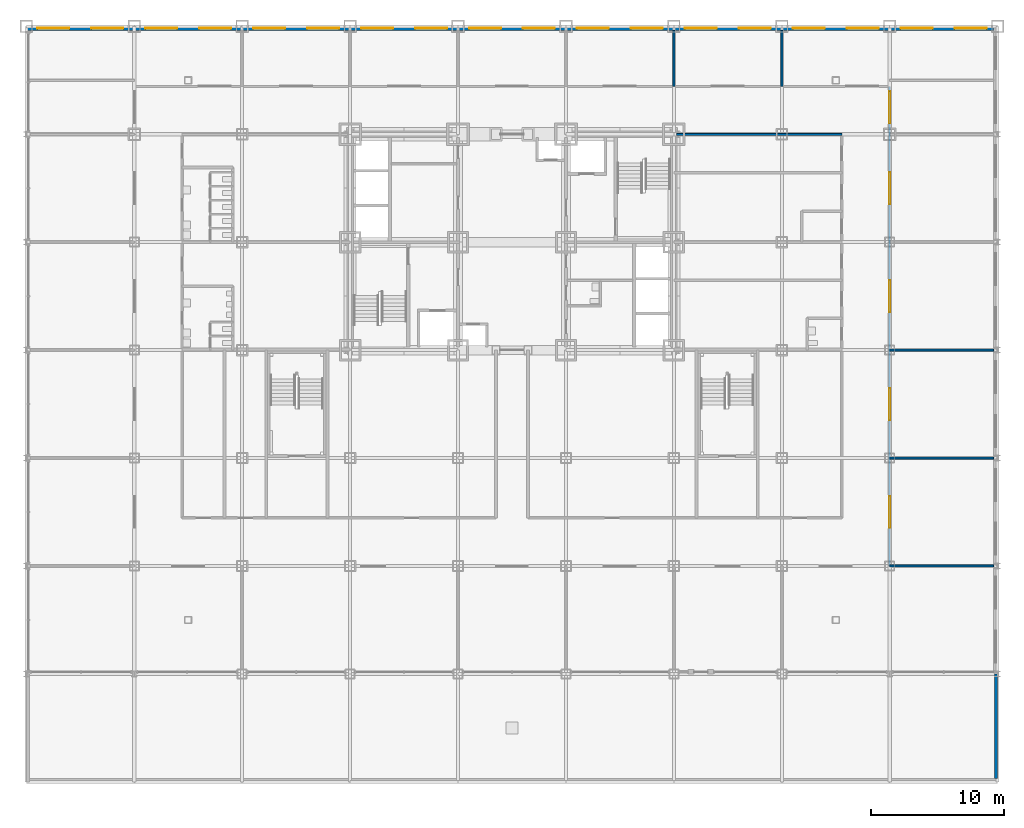
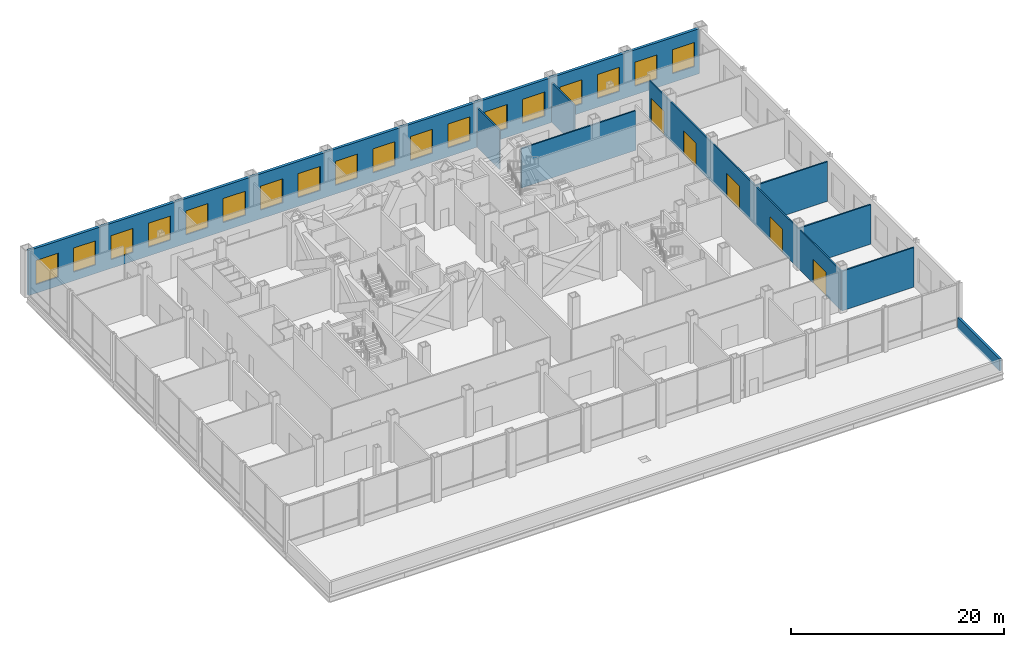
# One storey, part 25 of 29: 18 windows, 9 walls, 5 doors, 23 openings.
"""IFC4 building model written with IfcOpenShell, lengths in metres."""

from ifc_helpers import new_model, si_unit, direction, frame, frame_2d, origin, place, context, subcontext, project, spatial, rectangle, extrude, material, layer, layer_set, type_object, element, fill, save


model = new_model("IFC4")

# Units and contexts
model_context = context("Model", 3, precision=1e-05, world=origin(), true_north=direction((0.0, 1.0)))
body_context = subcontext(model_context, "Body", "Model", "MODEL_VIEW")
ifc_project = project(units=[si_unit("LENGTHUNIT", "METRE"), si_unit("AREAUNIT", "SQUARE_METRE"), si_unit("VOLUMEUNIT", "CUBIC_METRE"), si_unit("PLANEANGLEUNIT", "RADIAN"), si_unit("MASSUNIT", "GRAM", prefix="KILO")], contexts=[model_context])

# Site, building, storey
site_placement = place(None, origin())
site = spatial("IfcSite", under=ifc_project, at=site_placement, CompositionType="ELEMENT")
building_placement = place(site_placement, origin())
building = spatial("IfcBuilding", under=site, at=building_placement, Name="Kopane Lantern Tower", CompositionType="ELEMENT")
storey_placement = place(building_placement, frame((0.0, 0.0, 11.39990234375)))
storey = spatial("IfcBuildingStorey", under=building, at=storey_placement, Name="L02", CompositionType="ELEMENT", Elevation=11.39990234375)

# Wall, openings, doors
ifc_material_1 = material(Name="Gypsum board on steel studs", Category="steel")
ifc_layer_1 = layer(ifc_material_1, 0.14990234375)
ifc_layer_set_1 = layer_set([ifc_layer_1], Name="CORRIDOR WALL 150 EI 60")
wall_type_1 = type_object("IfcWallType", Name="CORRIDOR WALL 150 EI 60", PredefinedType="PARTITIONING", material=ifc_layer_set_1)
wall_1_placement = place(storey_placement, frame((56.699951171875, 8.10009765625, 0.0), z_axis=(0.0, 0.0, 1.0), x_axis=(0.0, 1.0, 0.0)))
wall_1 = element("IfcWall", 1, at=wall_1_placement, inside=storey, type_object=wall_type_1, Name="Corridor Wall 150 Ei 60 L02", PredefinedType="PARTITIONING", context=body_context, shape_type="SweptSolid", body=[
    extrude(rectangle(XDim=36.0, YDim=0.14990234375, at=frame_2d((18.0, 0.0))), origin(), (0.0, 0.0, 1.0), 4.537841796875),
])
opening_1_placement = place(wall_1_placement, frame((2.85009765625, 0.0, 0.0)))
opening_1 = element("IfcOpeningElement", 2, at=opening_1_placement, cuts=wall_1, Name="Opening L02-030", PredefinedType="OPENING", context=body_context, shape_type="SweptSolid", body=[
    extrude(rectangle(XDim=2.39990234375, YDim=2.699951171875, at=frame_2d((1.199951171875, 1.35009765625))), frame((0.0, 0.0849609375, 0.0), z_axis=(0.0, -1.0, 0.0), x_axis=(1.0, 0.0, 0.0)), (0.0, 0.0, 1.0), 0.169921875),
])
opening_2_placement = place(wall_1_placement, frame((10.949951171875, 0.0, 0.0)))
opening_2 = element("IfcOpeningElement", 3, at=opening_2_placement, cuts=wall_1, Name="Opening L02-031", PredefinedType="OPENING", context=body_context, shape_type="SweptSolid", body=[
    extrude(rectangle(XDim=2.39990234375, YDim=2.699951171875, at=frame_2d((1.199951171875, 1.35009765625))), frame((0.0, 0.0849609375, 0.0), z_axis=(0.0, -1.0, 0.0), x_axis=(1.0, 0.0, 0.0)), (0.0, 0.0, 1.0), 0.169921875),
])
opening_3_placement = place(wall_1_placement, frame((19.050048828125, 0.0, 0.0)))
opening_3 = element("IfcOpeningElement", 4, at=opening_3_placement, cuts=wall_1, Name="Opening L02-032", PredefinedType="OPENING", context=body_context, shape_type="SweptSolid", body=[
    extrude(rectangle(XDim=2.39990234375, YDim=2.699951171875, at=frame_2d((1.199951171875, 1.35009765625))), frame((0.0, 0.0849609375, 0.0), z_axis=(0.0, -1.0, 0.0), x_axis=(1.0, 0.0, 0.0)), (0.0, 0.0, 1.0), 0.169921875),
])
opening_4_placement = place(wall_1_placement, frame((27.14990234375, 0.0, 0.0)))
opening_4 = element("IfcOpeningElement", 5, at=opening_4_placement, cuts=wall_1, Name="Opening L02-033", PredefinedType="OPENING", context=body_context, shape_type="SweptSolid", body=[
    extrude(rectangle(XDim=2.39990234375, YDim=2.699951171875, at=frame_2d((1.199951171875, 1.35009765625))), frame((0.0, 0.0849609375, 0.0), z_axis=(0.0, -1.0, 0.0), x_axis=(1.0, 0.0, 0.0)), (0.0, 0.0, 1.0), 0.169921875),
])
opening_5_placement = place(wall_1_placement, frame((33.22509765625, 0.0, 0.0)))
opening_5 = element("IfcOpeningElement", 6, at=opening_5_placement, cuts=wall_1, Name="Opening L02-034", PredefinedType="OPENING", context=body_context, shape_type="SweptSolid", body=[
    extrude(rectangle(XDim=2.39990234375, YDim=2.699951171875, at=frame_2d((1.199951171875, 1.35009765625))), frame((0.0, 0.0849609375, 0.0), z_axis=(0.0, -1.0, 0.0), x_axis=(1.0, 0.0, 0.0)), (0.0, 0.0, 1.0), 0.169921875),
])
ifc_material_2 = material(Name="Timber door set", Category="wood")
door_type = type_object("IfcDoorType", Name="DOOR D7 2400x2700 SHOPFRONT", OperationType="SINGLE_SWING_LEFT", PredefinedType="DOOR", material=ifc_material_2)
door_1_placement = place(opening_1_placement, origin())
door_1 = element("IfcDoor", 7, at=door_1_placement, inside=storey, type_object=door_type, Name="Door L02-030", OperationType="DOUBLE_DOOR_SINGLE_SWING", OverallHeight=2.699951171875, OverallWidth=2.39990234375, PredefinedType="DOOR", context=body_context, shape_type="SweptSolid", body=[
    extrude(rectangle(XDim=2.39990234375, YDim=2.699951171875, at=frame_2d((1.199951171875, 1.35009765625))), frame((0.0, 0.02490234375, 0.0), z_axis=(0.0, -1.0, 0.0), x_axis=(1.0, 0.0, 0.0)), (0.0, 0.0, 1.0), 0.050048828125),
])
fill(opening_1, door_1)
door_2_placement = place(opening_2_placement, origin())
door_2 = element("IfcDoor", 8, at=door_2_placement, inside=storey, type_object=door_type, Name="Door L02-031", OperationType="DOUBLE_DOOR_SINGLE_SWING", OverallHeight=2.699951171875, OverallWidth=2.39990234375, PredefinedType="DOOR", context=body_context, shape_type="SweptSolid", body=[
    extrude(rectangle(XDim=2.39990234375, YDim=2.699951171875, at=frame_2d((1.199951171875, 1.35009765625))), frame((0.0, 0.02490234375, 0.0), z_axis=(0.0, -1.0, 0.0), x_axis=(1.0, 0.0, 0.0)), (0.0, 0.0, 1.0), 0.050048828125),
])
fill(opening_2, door_2)
door_3_placement = place(opening_3_placement, origin())
door_3 = element("IfcDoor", 9, at=door_3_placement, inside=storey, type_object=door_type, Name="Door L02-032", OperationType="DOUBLE_DOOR_SINGLE_SWING", OverallHeight=2.699951171875, OverallWidth=2.39990234375, PredefinedType="DOOR", context=body_context, shape_type="SweptSolid", body=[
    extrude(rectangle(XDim=2.39990234375, YDim=2.699951171875, at=frame_2d((1.199951171875, 1.35009765625))), frame((0.0, 0.02490234375, 0.0), z_axis=(0.0, -1.0, 0.0), x_axis=(1.0, 0.0, 0.0)), (0.0, 0.0, 1.0), 0.050048828125),
])
fill(opening_3, door_3)
door_4_placement = place(opening_4_placement, origin())
door_4 = element("IfcDoor", 10, at=door_4_placement, inside=storey, type_object=door_type, Name="Door L02-033", OperationType="DOUBLE_DOOR_SINGLE_SWING", OverallHeight=2.699951171875, OverallWidth=2.39990234375, PredefinedType="DOOR", context=body_context, shape_type="SweptSolid", body=[
    extrude(rectangle(XDim=2.39990234375, YDim=2.699951171875, at=frame_2d((1.199951171875, 1.35009765625))), frame((0.0, 0.02490234375, 0.0), z_axis=(0.0, -1.0, 0.0), x_axis=(1.0, 0.0, 0.0)), (0.0, 0.0, 1.0), 0.050048828125),
])
fill(opening_4, door_4)
door_5_placement = place(opening_5_placement, origin())
door_5 = element("IfcDoor", 11, at=door_5_placement, inside=storey, type_object=door_type, Name="Door L02-034", OperationType="DOUBLE_DOOR_SINGLE_SWING", OverallHeight=2.699951171875, OverallWidth=2.39990234375, PredefinedType="DOOR", context=body_context, shape_type="SweptSolid", body=[
    extrude(rectangle(XDim=2.39990234375, YDim=2.699951171875, at=frame_2d((1.199951171875, 1.35009765625))), frame((0.0, 0.02490234375, 0.0), z_axis=(0.0, -1.0, 0.0), x_axis=(1.0, 0.0, 0.0)), (0.0, 0.0, 1.0), 0.050048828125),
])
fill(opening_5, door_5)

# Walls
wall_2_placement = place(storey_placement, frame((53.10009765625, 40.5, 0.0), z_axis=(0.0, 0.0, 1.0), x_axis=(-1.0, 0.0, 0.0)))
element("IfcWall", 12, at=wall_2_placement, inside=storey, type_object=wall_type_1, Name="Corridor Wall 150 Ei 60 L02", PredefinedType="PARTITIONING", context=body_context, shape_type="SweptSolid", body=[
    extrude(rectangle(XDim=12.400146484375, YDim=0.14990234375, at=frame_2d((6.2001953125, 0.0))), origin(), (0.0, 0.0, 1.0), 4.537841796875),
])
ifc_material_3 = material(Name="Gypsum board on steel studs", Category="steel")
ifc_layer_2 = layer(ifc_material_3, 0.14990234375)
ifc_layer_set_2 = layer_set([ifc_layer_2], Name="DEMISING WALL 150 EI 60")
wall_type_2 = type_object("IfcWallType", Name="DEMISING WALL 150 EI 60", PredefinedType="PARTITIONING", material=ifc_layer_set_2)
wall_3_placement = place(storey_placement, frame((40.5, 44.10009765625, 0.0), z_axis=(0.0, 0.0, 1.0), x_axis=(0.0, 1.0, 0.0)))
element("IfcWall", 13, at=wall_3_placement, inside=storey, type_object=wall_type_2, Name="Demising Wall 150 Ei 60 L02", PredefinedType="PARTITIONING", context=body_context, shape_type="SweptSolid", body=[
    extrude(rectangle(XDim=4.199951171875, YDim=0.14990234375, at=frame_2d((2.10009765625, 0.0))), origin(), (0.0, 0.0, 1.0), 4.537841796875),
])
for number, where, z_axis, x_axis, name in (
    (14, (56.699951171875, 16.199951171875, 0.0), (0.0, 0.0, 1.0), (1.0, 0.0, 0.0), "Demising Wall 150 Ei 60 L02"),
    (15, (56.699951171875, 24.300048828125, 0.0), (0.0, 0.0, 1.0), (1.0, 0.0, 0.0), "Demising Wall 150 Ei 60 L02"),
    (16, (56.699951171875, 8.10009765625, 0.0), (0.0, 0.0, 1.0), (1.0, 0.0, 0.0), "Demising Wall 150 Ei 60 L02"),
):
    element("IfcWall", number, at=place(storey_placement, frame(where, z_axis=z_axis, x_axis=x_axis)), inside=storey, type_object=wall_type_2, Name=name, PredefinedType="PARTITIONING", context=body_context, shape_type="SweptSolid", body=[
        extrude(rectangle(XDim=7.800048828125, YDim=0.14990234375, at=frame_2d((3.89990234375, 0.0))), origin(), (0.0, 0.0, 1.0), 4.537841796875),
    ])
wall_4_placement = place(storey_placement, frame((48.60009765625, 44.10009765625, 0.0), z_axis=(0.0, 0.0, 1.0), x_axis=(0.0, 1.0, 0.0)))
element("IfcWall", 17, at=wall_4_placement, inside=storey, type_object=wall_type_2, Name="Demising Wall 150 Ei 60 L02", PredefinedType="PARTITIONING", context=body_context, shape_type="SweptSolid", body=[
    extrude(rectangle(XDim=4.199951171875, YDim=0.14990234375, at=frame_2d((2.10009765625, 0.0))), origin(), (0.0, 0.0, 1.0), 4.537841796875),
])

# Wall, openings, windows
ifc_material_4 = material(Name="Terracotta rainscreen on light steel framing", Category="masonry")
ifc_layer_3 = layer(ifc_material_4, 0.300048828125)
ifc_layer_set_3 = layer_set([ifc_layer_3], Name="EXTERNAL WALL EW1 300 TERRACOTTA")
wall_type_3 = type_object("IfcWallType", Name="EXTERNAL WALL EW1 300 TERRACOTTA", PredefinedType="SOLIDWALL", material=ifc_layer_set_3)
wall_5_placement = place(storey_placement, frame((64.5, 48.449951171875, 0.0), z_axis=(0.0, 0.0, 1.0), x_axis=(-1.0, 0.0, 0.0)))
wall_5 = element("IfcWall", 18, at=wall_5_placement, inside=storey, type_object=wall_type_3, Name="External wall N L02", PredefinedType="SOLIDWALL", context=body_context, shape_type="SweptSolid", body=[
    extrude(rectangle(XDim=72.60009765625, YDim=0.300048828125, at=frame_2d((36.300048828125, 0.0))), origin(), (0.0, 0.0, 1.0), 5.150146484375),
])
opening_6_placement = place(wall_5_placement, frame((0.52490234375, 0.0, 1.0)))
opening_6 = element("IfcOpeningElement", 19, at=opening_6_placement, cuts=wall_5, Name="Opening WP240275", PredefinedType="OPENING", context=body_context, shape_type="SweptSolid", body=[
    extrude(rectangle(XDim=2.39990234375, YDim=2.75, at=frame_2d((1.199951171875, 1.375))), frame((0.0, 0.159912109375, 0.0), z_axis=(0.0, -1.0, 0.0), x_axis=(1.0, 0.0, 0.0)), (0.0, 0.0, 1.0), 0.320068359375),
])
opening_7_placement = place(wall_5_placement, frame((4.574951171875, 0.0, 1.0)))
opening_7 = element("IfcOpeningElement", 20, at=opening_7_placement, cuts=wall_5, Name="Opening WP240275", PredefinedType="OPENING", context=body_context, shape_type="SweptSolid", body=[
    extrude(rectangle(XDim=2.39990234375, YDim=2.75, at=frame_2d((1.199951171875, 1.375))), frame((0.0, 0.159912109375, 0.0), z_axis=(0.0, -1.0, 0.0), x_axis=(1.0, 0.0, 0.0)), (0.0, 0.0, 1.0), 0.320068359375),
])
opening_8_placement = place(wall_5_placement, frame((8.625, 0.0, 1.0)))
opening_8 = element("IfcOpeningElement", 21, at=opening_8_placement, cuts=wall_5, Name="Opening WP240275", PredefinedType="OPENING", context=body_context, shape_type="SweptSolid", body=[
    extrude(rectangle(XDim=2.39990234375, YDim=2.75, at=frame_2d((1.199951171875, 1.375))), frame((0.0, 0.159912109375, 0.0), z_axis=(0.0, -1.0, 0.0), x_axis=(1.0, 0.0, 0.0)), (0.0, 0.0, 1.0), 0.320068359375),
])
opening_9_placement = place(wall_5_placement, frame((12.675048828125, 0.0, 1.0)))
opening_9 = element("IfcOpeningElement", 22, at=opening_9_placement, cuts=wall_5, Name="Opening WP240275", PredefinedType="OPENING", context=body_context, shape_type="SweptSolid", body=[
    extrude(rectangle(XDim=2.39990234375, YDim=2.75, at=frame_2d((1.199951171875, 1.375))), frame((0.0, 0.159912109375, 0.0), z_axis=(0.0, -1.0, 0.0), x_axis=(1.0, 0.0, 0.0)), (0.0, 0.0, 1.0), 0.320068359375),
])
opening_10_placement = place(wall_5_placement, frame((16.72509765625, 0.0, 1.0)))
opening_10 = element("IfcOpeningElement", 23, at=opening_10_placement, cuts=wall_5, Name="Opening WP240275", PredefinedType="OPENING", context=body_context, shape_type="SweptSolid", body=[
    extrude(rectangle(XDim=2.39990234375, YDim=2.75, at=frame_2d((1.199951171875, 1.375))), frame((0.0, 0.159912109375, 0.0), z_axis=(0.0, -1.0, 0.0), x_axis=(1.0, 0.0, 0.0)), (0.0, 0.0, 1.0), 0.320068359375),
])
opening_11_placement = place(wall_5_placement, frame((20.77490234375, 0.0, 1.0)))
opening_11 = element("IfcOpeningElement", 24, at=opening_11_placement, cuts=wall_5, Name="Opening WP240275", PredefinedType="OPENING", context=body_context, shape_type="SweptSolid", body=[
    extrude(rectangle(XDim=2.39990234375, YDim=2.75, at=frame_2d((1.199951171875, 1.375))), frame((0.0, 0.159912109375, 0.0), z_axis=(0.0, -1.0, 0.0), x_axis=(1.0, 0.0, 0.0)), (0.0, 0.0, 1.0), 0.320068359375),
])
opening_12_placement = place(wall_5_placement, frame((24.824951171875, 0.0, 1.0)))
opening_12 = element("IfcOpeningElement", 25, at=opening_12_placement, cuts=wall_5, Name="Opening WP240275", PredefinedType="OPENING", context=body_context, shape_type="SweptSolid", body=[
    extrude(rectangle(XDim=2.39990234375, YDim=2.75, at=frame_2d((1.199951171875, 1.375))), frame((0.0, 0.159912109375, 0.0), z_axis=(0.0, -1.0, 0.0), x_axis=(1.0, 0.0, 0.0)), (0.0, 0.0, 1.0), 0.320068359375),
])
opening_13_placement = place(wall_5_placement, frame((28.875, 0.0, 1.0)))
opening_13 = element("IfcOpeningElement", 26, at=opening_13_placement, cuts=wall_5, Name="Opening WP240275", PredefinedType="OPENING", context=body_context, shape_type="SweptSolid", body=[
    extrude(rectangle(XDim=2.39990234375, YDim=2.75, at=frame_2d((1.199951171875, 1.375))), frame((0.0, 0.159912109375, 0.0), z_axis=(0.0, -1.0, 0.0), x_axis=(1.0, 0.0, 0.0)), (0.0, 0.0, 1.0), 0.320068359375),
])
opening_14_placement = place(wall_5_placement, frame((32.925048828125, 0.0, 1.0)))
opening_14 = element("IfcOpeningElement", 27, at=opening_14_placement, cuts=wall_5, Name="Opening WP240275", PredefinedType="OPENING", context=body_context, shape_type="SweptSolid", body=[
    extrude(rectangle(XDim=2.39990234375, YDim=2.75, at=frame_2d((1.199951171875, 1.375))), frame((0.0, 0.159912109375, 0.0), z_axis=(0.0, -1.0, 0.0), x_axis=(1.0, 0.0, 0.0)), (0.0, 0.0, 1.0), 0.320068359375),
])
opening_15_placement = place(wall_5_placement, frame((36.97509765625, 0.0, 1.0)))
opening_15 = element("IfcOpeningElement", 28, at=opening_15_placement, cuts=wall_5, Name="Opening WP240275", PredefinedType="OPENING", context=body_context, shape_type="SweptSolid", body=[
    extrude(rectangle(XDim=2.39990234375, YDim=2.75, at=frame_2d((1.199951171875, 1.375))), frame((0.0, 0.159912109375, 0.0), z_axis=(0.0, -1.0, 0.0), x_axis=(1.0, 0.0, 0.0)), (0.0, 0.0, 1.0), 0.320068359375),
])
opening_16_placement = place(wall_5_placement, frame((41.02490234375, 0.0, 1.0)))
opening_16 = element("IfcOpeningElement", 29, at=opening_16_placement, cuts=wall_5, Name="Opening WP240275", PredefinedType="OPENING", context=body_context, shape_type="SweptSolid", body=[
    extrude(rectangle(XDim=2.39990234375, YDim=2.75, at=frame_2d((1.199951171875, 1.375))), frame((0.0, 0.159912109375, 0.0), z_axis=(0.0, -1.0, 0.0), x_axis=(1.0, 0.0, 0.0)), (0.0, 0.0, 1.0), 0.320068359375),
])
opening_17_placement = place(wall_5_placement, frame((45.074951171875, 0.0, 1.0)))
opening_17 = element("IfcOpeningElement", 30, at=opening_17_placement, cuts=wall_5, Name="Opening WP240275", PredefinedType="OPENING", context=body_context, shape_type="SweptSolid", body=[
    extrude(rectangle(XDim=2.39990234375, YDim=2.75, at=frame_2d((1.199951171875, 1.375))), frame((0.0, 0.159912109375, 0.0), z_axis=(0.0, -1.0, 0.0), x_axis=(1.0, 0.0, 0.0)), (0.0, 0.0, 1.0), 0.320068359375),
])
opening_18_placement = place(wall_5_placement, frame((49.125, 0.0, 1.0)))
opening_18 = element("IfcOpeningElement", 31, at=opening_18_placement, cuts=wall_5, Name="Opening WP240275", PredefinedType="OPENING", context=body_context, shape_type="SweptSolid", body=[
    extrude(rectangle(XDim=2.39990234375, YDim=2.75, at=frame_2d((1.199951171875, 1.375))), frame((0.0, 0.159912109375, 0.0), z_axis=(0.0, -1.0, 0.0), x_axis=(1.0, 0.0, 0.0)), (0.0, 0.0, 1.0), 0.320068359375),
])
opening_19_placement = place(wall_5_placement, frame((53.175048828125, 0.0, 1.0)))
opening_19 = element("IfcOpeningElement", 32, at=opening_19_placement, cuts=wall_5, Name="Opening WP240275", PredefinedType="OPENING", context=body_context, shape_type="SweptSolid", body=[
    extrude(rectangle(XDim=2.39990234375, YDim=2.75, at=frame_2d((1.199951171875, 1.375))), frame((0.0, 0.159912109375, 0.0), z_axis=(0.0, -1.0, 0.0), x_axis=(1.0, 0.0, 0.0)), (0.0, 0.0, 1.0), 0.320068359375),
])
opening_20_placement = place(wall_5_placement, frame((57.22509765625, 0.0, 1.0)))
opening_20 = element("IfcOpeningElement", 33, at=opening_20_placement, cuts=wall_5, Name="Opening WP240275", PredefinedType="OPENING", context=body_context, shape_type="SweptSolid", body=[
    extrude(rectangle(XDim=2.39990234375, YDim=2.75, at=frame_2d((1.199951171875, 1.375))), frame((0.0, 0.159912109375, 0.0), z_axis=(0.0, -1.0, 0.0), x_axis=(1.0, 0.0, 0.0)), (0.0, 0.0, 1.0), 0.320068359375),
])
opening_21_placement = place(wall_5_placement, frame((61.27490234375, 0.0, 1.0)))
opening_21 = element("IfcOpeningElement", 34, at=opening_21_placement, cuts=wall_5, Name="Opening WP240275", PredefinedType="OPENING", context=body_context, shape_type="SweptSolid", body=[
    extrude(rectangle(XDim=2.39990234375, YDim=2.75, at=frame_2d((1.199951171875, 1.375))), frame((0.0, 0.159912109375, 0.0), z_axis=(0.0, -1.0, 0.0), x_axis=(1.0, 0.0, 0.0)), (0.0, 0.0, 1.0), 0.320068359375),
])
opening_22_placement = place(wall_5_placement, frame((65.324951171875, 0.0, 1.0)))
opening_22 = element("IfcOpeningElement", 35, at=opening_22_placement, cuts=wall_5, Name="Opening WP240275", PredefinedType="OPENING", context=body_context, shape_type="SweptSolid", body=[
    extrude(rectangle(XDim=2.39990234375, YDim=2.75, at=frame_2d((1.199951171875, 1.375))), frame((0.0, 0.159912109375, 0.0), z_axis=(0.0, -1.0, 0.0), x_axis=(1.0, 0.0, 0.0)), (0.0, 0.0, 1.0), 0.320068359375),
])
opening_23_placement = place(wall_5_placement, frame((69.375, 0.0, 1.0)))
opening_23 = element("IfcOpeningElement", 36, at=opening_23_placement, cuts=wall_5, Name="Opening WP240275", PredefinedType="OPENING", context=body_context, shape_type="SweptSolid", body=[
    extrude(rectangle(XDim=2.39990234375, YDim=2.75, at=frame_2d((1.199951171875, 1.375))), frame((0.0, 0.159912109375, 0.0), z_axis=(0.0, -1.0, 0.0), x_axis=(1.0, 0.0, 0.0)), (0.0, 0.0, 1.0), 0.320068359375),
])
ifc_material_5 = material(Name="Aluminium and clear glass", Category="aluminium")
window_type = type_object("IfcWindowType", Name="WINDOW WP240275 2400x2750", PartitioningType="SINGLE_PANEL", PredefinedType="WINDOW", material=ifc_material_5)
window_1_placement = place(opening_6_placement, origin())
window_1 = element("IfcWindow", 37, at=window_1_placement, inside=storey, type_object=window_type, Name="Window N L02", OverallHeight=2.75, OverallWidth=2.39990234375, PartitioningType="SINGLE_PANEL", PredefinedType="WINDOW", context=body_context, shape_type="SweptSolid", body=[
    extrude(rectangle(XDim=2.39990234375, YDim=2.75, at=frame_2d((1.199951171875, 1.375))), frame((0.0, 0.030029296875, 0.0), z_axis=(0.0, -1.0, 0.0), x_axis=(1.0, 0.0, 0.0)), (0.0, 0.0, 1.0), 0.06005859375),
])
fill(opening_6, window_1)
window_2_placement = place(opening_7_placement, origin())
window_2 = element("IfcWindow", 38, at=window_2_placement, inside=storey, type_object=window_type, Name="Window N L02", OverallHeight=2.75, OverallWidth=2.39990234375, PartitioningType="SINGLE_PANEL", PredefinedType="WINDOW", context=body_context, shape_type="SweptSolid", body=[
    extrude(rectangle(XDim=2.39990234375, YDim=2.75, at=frame_2d((1.199951171875, 1.375))), frame((0.0, 0.030029296875, 0.0), z_axis=(0.0, -1.0, 0.0), x_axis=(1.0, 0.0, 0.0)), (0.0, 0.0, 1.0), 0.06005859375),
])
fill(opening_7, window_2)
window_3_placement = place(opening_8_placement, origin())
window_3 = element("IfcWindow", 39, at=window_3_placement, inside=storey, type_object=window_type, Name="Window N L02", OverallHeight=2.75, OverallWidth=2.39990234375, PartitioningType="SINGLE_PANEL", PredefinedType="WINDOW", context=body_context, shape_type="SweptSolid", body=[
    extrude(rectangle(XDim=2.39990234375, YDim=2.75, at=frame_2d((1.199951171875, 1.375))), frame((0.0, 0.030029296875, 0.0), z_axis=(0.0, -1.0, 0.0), x_axis=(1.0, 0.0, 0.0)), (0.0, 0.0, 1.0), 0.06005859375),
])
fill(opening_8, window_3)
window_4_placement = place(opening_9_placement, origin())
window_4 = element("IfcWindow", 40, at=window_4_placement, inside=storey, type_object=window_type, Name="Window N L02", OverallHeight=2.75, OverallWidth=2.39990234375, PartitioningType="SINGLE_PANEL", PredefinedType="WINDOW", context=body_context, shape_type="SweptSolid", body=[
    extrude(rectangle(XDim=2.39990234375, YDim=2.75, at=frame_2d((1.199951171875, 1.375))), frame((0.0, 0.030029296875, 0.0), z_axis=(0.0, -1.0, 0.0), x_axis=(1.0, 0.0, 0.0)), (0.0, 0.0, 1.0), 0.06005859375),
])
fill(opening_9, window_4)
window_5_placement = place(opening_10_placement, origin())
window_5 = element("IfcWindow", 41, at=window_5_placement, inside=storey, type_object=window_type, Name="Window N L02", OverallHeight=2.75, OverallWidth=2.39990234375, PartitioningType="SINGLE_PANEL", PredefinedType="WINDOW", context=body_context, shape_type="SweptSolid", body=[
    extrude(rectangle(XDim=2.39990234375, YDim=2.75, at=frame_2d((1.199951171875, 1.375))), frame((0.0, 0.030029296875, 0.0), z_axis=(0.0, -1.0, 0.0), x_axis=(1.0, 0.0, 0.0)), (0.0, 0.0, 1.0), 0.06005859375),
])
fill(opening_10, window_5)
window_6_placement = place(opening_11_placement, origin())
window_6 = element("IfcWindow", 42, at=window_6_placement, inside=storey, type_object=window_type, Name="Window N L02", OverallHeight=2.75, OverallWidth=2.39990234375, PartitioningType="SINGLE_PANEL", PredefinedType="WINDOW", context=body_context, shape_type="SweptSolid", body=[
    extrude(rectangle(XDim=2.39990234375, YDim=2.75, at=frame_2d((1.199951171875, 1.375))), frame((0.0, 0.030029296875, 0.0), z_axis=(0.0, -1.0, 0.0), x_axis=(1.0, 0.0, 0.0)), (0.0, 0.0, 1.0), 0.06005859375),
])
fill(opening_11, window_6)
window_7_placement = place(opening_12_placement, origin())
window_7 = element("IfcWindow", 43, at=window_7_placement, inside=storey, type_object=window_type, Name="Window N L02", OverallHeight=2.75, OverallWidth=2.39990234375, PartitioningType="SINGLE_PANEL", PredefinedType="WINDOW", context=body_context, shape_type="SweptSolid", body=[
    extrude(rectangle(XDim=2.39990234375, YDim=2.75, at=frame_2d((1.199951171875, 1.375))), frame((0.0, 0.030029296875, 0.0), z_axis=(0.0, -1.0, 0.0), x_axis=(1.0, 0.0, 0.0)), (0.0, 0.0, 1.0), 0.06005859375),
])
fill(opening_12, window_7)
window_8_placement = place(opening_13_placement, origin())
window_8 = element("IfcWindow", 44, at=window_8_placement, inside=storey, type_object=window_type, Name="Window N L02", OverallHeight=2.75, OverallWidth=2.39990234375, PartitioningType="SINGLE_PANEL", PredefinedType="WINDOW", context=body_context, shape_type="SweptSolid", body=[
    extrude(rectangle(XDim=2.39990234375, YDim=2.75, at=frame_2d((1.199951171875, 1.375))), frame((0.0, 0.030029296875, 0.0), z_axis=(0.0, -1.0, 0.0), x_axis=(1.0, 0.0, 0.0)), (0.0, 0.0, 1.0), 0.06005859375),
])
fill(opening_13, window_8)
window_9_placement = place(opening_14_placement, origin())
window_9 = element("IfcWindow", 45, at=window_9_placement, inside=storey, type_object=window_type, Name="Window N L02", OverallHeight=2.75, OverallWidth=2.39990234375, PartitioningType="SINGLE_PANEL", PredefinedType="WINDOW", context=body_context, shape_type="SweptSolid", body=[
    extrude(rectangle(XDim=2.39990234375, YDim=2.75, at=frame_2d((1.199951171875, 1.375))), frame((0.0, 0.030029296875, 0.0), z_axis=(0.0, -1.0, 0.0), x_axis=(1.0, 0.0, 0.0)), (0.0, 0.0, 1.0), 0.06005859375),
])
fill(opening_14, window_9)
window_10_placement = place(opening_15_placement, origin())
window_10 = element("IfcWindow", 46, at=window_10_placement, inside=storey, type_object=window_type, Name="Window N L02", OverallHeight=2.75, OverallWidth=2.39990234375, PartitioningType="SINGLE_PANEL", PredefinedType="WINDOW", context=body_context, shape_type="SweptSolid", body=[
    extrude(rectangle(XDim=2.39990234375, YDim=2.75, at=frame_2d((1.199951171875, 1.375))), frame((0.0, 0.030029296875, 0.0), z_axis=(0.0, -1.0, 0.0), x_axis=(1.0, 0.0, 0.0)), (0.0, 0.0, 1.0), 0.06005859375),
])
fill(opening_15, window_10)
window_11_placement = place(opening_16_placement, origin())
window_11 = element("IfcWindow", 47, at=window_11_placement, inside=storey, type_object=window_type, Name="Window N L02", OverallHeight=2.75, OverallWidth=2.39990234375, PartitioningType="SINGLE_PANEL", PredefinedType="WINDOW", context=body_context, shape_type="SweptSolid", body=[
    extrude(rectangle(XDim=2.39990234375, YDim=2.75, at=frame_2d((1.199951171875, 1.375))), frame((0.0, 0.030029296875, 0.0), z_axis=(0.0, -1.0, 0.0), x_axis=(1.0, 0.0, 0.0)), (0.0, 0.0, 1.0), 0.06005859375),
])
fill(opening_16, window_11)
window_12_placement = place(opening_17_placement, origin())
window_12 = element("IfcWindow", 48, at=window_12_placement, inside=storey, type_object=window_type, Name="Window N L02", OverallHeight=2.75, OverallWidth=2.39990234375, PartitioningType="SINGLE_PANEL", PredefinedType="WINDOW", context=body_context, shape_type="SweptSolid", body=[
    extrude(rectangle(XDim=2.39990234375, YDim=2.75, at=frame_2d((1.199951171875, 1.375))), frame((0.0, 0.030029296875, 0.0), z_axis=(0.0, -1.0, 0.0), x_axis=(1.0, 0.0, 0.0)), (0.0, 0.0, 1.0), 0.06005859375),
])
fill(opening_17, window_12)
window_13_placement = place(opening_18_placement, origin())
window_13 = element("IfcWindow", 49, at=window_13_placement, inside=storey, type_object=window_type, Name="Window N L02", OverallHeight=2.75, OverallWidth=2.39990234375, PartitioningType="SINGLE_PANEL", PredefinedType="WINDOW", context=body_context, shape_type="SweptSolid", body=[
    extrude(rectangle(XDim=2.39990234375, YDim=2.75, at=frame_2d((1.199951171875, 1.375))), frame((0.0, 0.030029296875, 0.0), z_axis=(0.0, -1.0, 0.0), x_axis=(1.0, 0.0, 0.0)), (0.0, 0.0, 1.0), 0.06005859375),
])
fill(opening_18, window_13)
window_14_placement = place(opening_19_placement, origin())
window_14 = element("IfcWindow", 50, at=window_14_placement, inside=storey, type_object=window_type, Name="Window N L02", OverallHeight=2.75, OverallWidth=2.39990234375, PartitioningType="SINGLE_PANEL", PredefinedType="WINDOW", context=body_context, shape_type="SweptSolid", body=[
    extrude(rectangle(XDim=2.39990234375, YDim=2.75, at=frame_2d((1.199951171875, 1.375))), frame((0.0, 0.030029296875, 0.0), z_axis=(0.0, -1.0, 0.0), x_axis=(1.0, 0.0, 0.0)), (0.0, 0.0, 1.0), 0.06005859375),
])
fill(opening_19, window_14)
window_15_placement = place(opening_20_placement, origin())
window_15 = element("IfcWindow", 51, at=window_15_placement, inside=storey, type_object=window_type, Name="Window N L02", OverallHeight=2.75, OverallWidth=2.39990234375, PartitioningType="SINGLE_PANEL", PredefinedType="WINDOW", context=body_context, shape_type="SweptSolid", body=[
    extrude(rectangle(XDim=2.39990234375, YDim=2.75, at=frame_2d((1.199951171875, 1.375))), frame((0.0, 0.030029296875, 0.0), z_axis=(0.0, -1.0, 0.0), x_axis=(1.0, 0.0, 0.0)), (0.0, 0.0, 1.0), 0.06005859375),
])
fill(opening_20, window_15)
window_16_placement = place(opening_21_placement, origin())
window_16 = element("IfcWindow", 52, at=window_16_placement, inside=storey, type_object=window_type, Name="Window N L02", OverallHeight=2.75, OverallWidth=2.39990234375, PartitioningType="SINGLE_PANEL", PredefinedType="WINDOW", context=body_context, shape_type="SweptSolid", body=[
    extrude(rectangle(XDim=2.39990234375, YDim=2.75, at=frame_2d((1.199951171875, 1.375))), frame((0.0, 0.030029296875, 0.0), z_axis=(0.0, -1.0, 0.0), x_axis=(1.0, 0.0, 0.0)), (0.0, 0.0, 1.0), 0.06005859375),
])
fill(opening_21, window_16)
window_17_placement = place(opening_22_placement, origin())
window_17 = element("IfcWindow", 53, at=window_17_placement, inside=storey, type_object=window_type, Name="Window N L02", OverallHeight=2.75, OverallWidth=2.39990234375, PartitioningType="SINGLE_PANEL", PredefinedType="WINDOW", context=body_context, shape_type="SweptSolid", body=[
    extrude(rectangle(XDim=2.39990234375, YDim=2.75, at=frame_2d((1.199951171875, 1.375))), frame((0.0, 0.030029296875, 0.0), z_axis=(0.0, -1.0, 0.0), x_axis=(1.0, 0.0, 0.0)), (0.0, 0.0, 1.0), 0.06005859375),
])
fill(opening_22, window_17)
window_18_placement = place(opening_23_placement, origin())
window_18 = element("IfcWindow", 54, at=window_18_placement, inside=storey, type_object=window_type, Name="Window N L02", OverallHeight=2.75, OverallWidth=2.39990234375, PartitioningType="SINGLE_PANEL", PredefinedType="WINDOW", context=body_context, shape_type="SweptSolid", body=[
    extrude(rectangle(XDim=2.39990234375, YDim=2.75, at=frame_2d((1.199951171875, 1.375))), frame((0.0, 0.030029296875, 0.0), z_axis=(0.0, -1.0, 0.0), x_axis=(1.0, 0.0, 0.0)), (0.0, 0.0, 1.0), 0.06005859375),
])
fill(opening_23, window_18)

# Wall
ifc_material_6 = material(Name="Terracotta rainscreen on light steel framing", Category="masonry")
ifc_layer_4 = layer(ifc_material_6, 0.25)
ifc_layer_set_4 = layer_set([ifc_layer_4], Name="PARAPET PW1 250 TERRACOTTA")
wall_type_4 = type_object("IfcWallType", Name="PARAPET PW1 250 TERRACOTTA", PredefinedType="PARAPET", material=ifc_layer_set_4)
wall_6_placement = place(storey_placement, frame((64.675048828125, -7.85009765625, 0.0), z_axis=(0.0, 0.0, 1.0), x_axis=(0.0, 1.0, 0.0)))
element("IfcWall", 55, at=wall_6_placement, inside=storey, type_object=wall_type_4, Name="Parapet L02", PredefinedType="PARAPET", context=body_context, shape_type="SweptSolid", body=[
    extrude(rectangle(XDim=7.85009765625, YDim=0.25, at=frame_2d((3.925048828125, 0.0))), origin(), (0.0, 0.0, 1.0), 1.380126953125),
])

save(model, "model.ifc")
